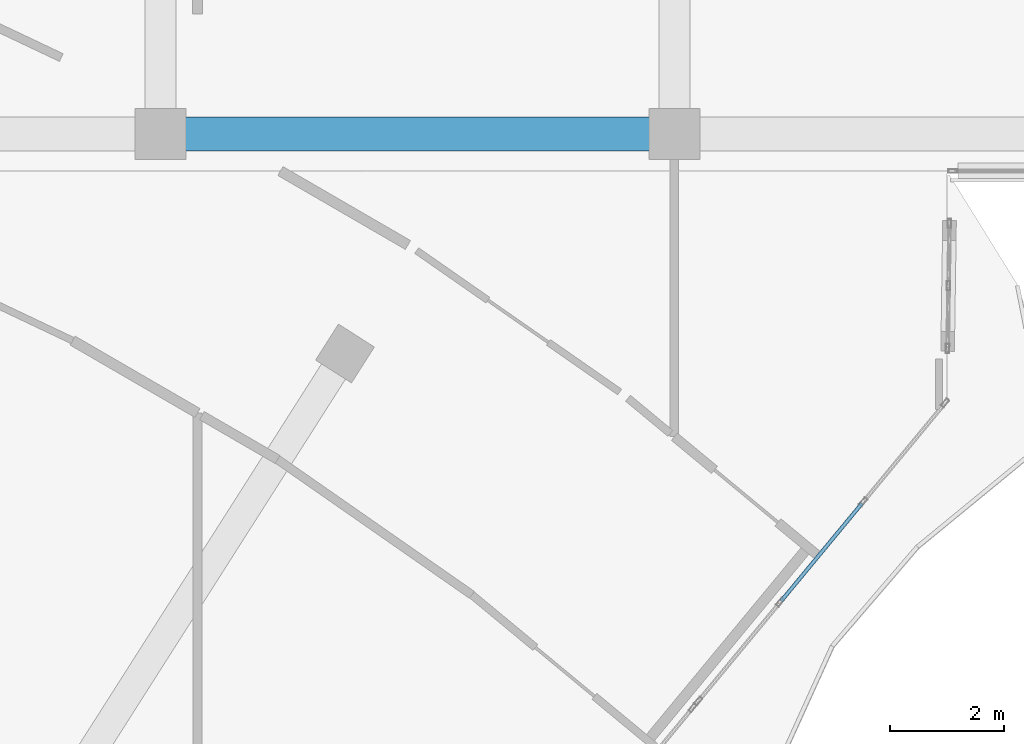
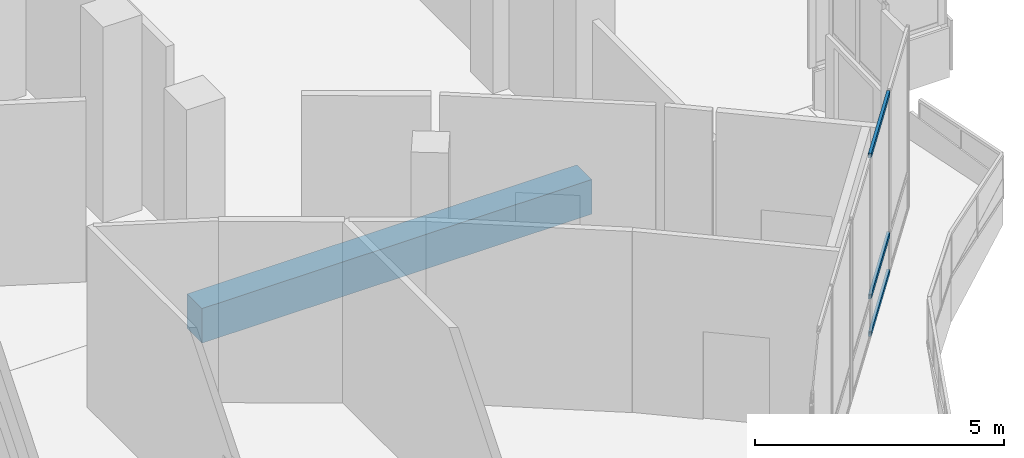
# One storey, part 106 of 168: 3 members, 1 beam, 1 element without a shape of its own.
"""IFC4 building model written with IfcOpenShell, lengths in metres."""

from ifc_helpers import new_model, si_unit, direction, frame, origin, origin_2d, place, context, subcontext, project, spatial, rectangle, hollow_rectangle, extrude, material, material_profile, profile_set, type_object, element, aggregate, save


model = new_model("IFC4")

# Units and contexts
model_context = context("Model", 3, precision=1e-05, world=origin(), true_north=direction((0.0, 1.0)))
body_context = subcontext(model_context, "Body", "Model", "MODEL_VIEW")
ifc_project = project(units=[si_unit("LENGTHUNIT", "METRE"), si_unit("AREAUNIT", "SQUARE_METRE"), si_unit("VOLUMEUNIT", "CUBIC_METRE"), si_unit("PLANEANGLEUNIT", "RADIAN"), si_unit("MASSUNIT", "GRAM", prefix="KILO")], contexts=[model_context])

# Site, building, storey
site_placement = place(None, origin())
site = spatial("IfcSite", under=ifc_project, at=site_placement, CompositionType="ELEMENT")
building_placement = place(site_placement, origin())
building = spatial("IfcBuilding", under=site, at=building_placement, Name="Selatvlak General Hospital", CompositionType="ELEMENT")
storey_placement = place(building_placement, frame((0.0, 0.0, 5.39990234375)))
storey = spatial("IfcBuildingStorey", under=building, at=storey_placement, Name="L01", CompositionType="ELEMENT", Elevation=5.39990234375)

# Beam
ifc_material_1 = material(Name="Concrete C40/50", Category="concrete")
ifc_material_profile_1 = material_profile(ifc_material_1, rectangle(XDim=0.60009765625, YDim=0.85009765625, at=origin_2d()), Name="RC-BM 600x850")
ifc_profile_set_1 = profile_set([ifc_material_profile_1], Name="Concrete C40/50")
beam_type = type_object("IfcBeamType", Name="BM-G01", PredefinedType="BEAM", material=ifc_profile_set_1)
beam_placement = place(storey_placement, frame((164.949951171875, 64.64990234375, -0.744873046875), z_axis=(1.0, 0.0, 0.0), x_axis=(0.0, 1.0, 0.0)))
element("IfcBeam", 1, at=beam_placement, inside=storey, type_object=beam_type, Name="Beam BMR-L01-0393", PredefinedType="BEAM", context=body_context, shape_type="SweptSolid", body=[
    extrude(rectangle(XDim=0.60009765625, YDim=0.85009765625, at=origin_2d()), origin(), (0.0, 0.0, 1.0), 9.050048828125),
])

# Curtain wall, members
ifc_material_2 = material(Name="Solar-control Low-E double glazing", Category="glass")
curtain_wall_type = type_object("IfcCurtainWallType", Name="CW-CW-01", PredefinedType="USERDEFINED", material=ifc_material_2)
curtain_wall_placement = place(storey_placement, origin())
curtain_wall = element("IfcCurtainWall", 2, at=curtain_wall_placement, inside=storey, type_object=curtain_wall_type, Name="Glazed facade curtain wall CW-L01-0141", ObjectType="UNITISED CURTAIN WALL", PredefinedType="USERDEFINED")
ifc_material_3 = material(Name="Dark anodised aluminium mullion", Category="aluminium")
ifc_material_profile_2 = material_profile(ifc_material_3, hollow_rectangle(XDim=0.06494140625, YDim=0.1201171875, WallThickness=0.00390625, at=origin_2d()), Name="AL-TRN 65x120x4")
ifc_profile_set_2 = profile_set([ifc_material_profile_2], Name="Dark anodised aluminium mullion")
member_type = type_object("IfcMemberType", Name="CWT-01", PredefinedType="USERDEFINED", material=ifc_profile_set_2)
member_1_placement = place(storey_placement, frame((177.30517578125, 58.14453125, 0.03271484375), z_axis=(-0.637661789289, -0.770316456062, 0.0), x_axis=(0.770316456062, -0.637661789289, 0.0)))
member_1 = element("IfcMember", 3, at=member_1_placement, type_object=member_type, Name="CW-01 transom 2.1", ObjectType="TRANSOM", PredefinedType="USERDEFINED", context=body_context, shape_type="SweptSolid", body=[
    extrude(hollow_rectangle(XDim=0.06494140625, YDim=0.1201171875, WallThickness=0.00390625, at=origin_2d()), origin(), (0.0, 0.0, 1.0), 2.230712890625),
])
member_2_placement = place(storey_placement, frame((177.30517578125, 58.14453125, 0.9501953125), z_axis=(-0.637661789289, -0.770316456062, 0.0), x_axis=(0.770316456062, -0.637661789289, 0.0)))
member_2 = element("IfcMember", 4, at=member_2_placement, type_object=member_type, Name="CW-01 transom 2.2", ObjectType="TRANSOM", PredefinedType="USERDEFINED", context=body_context, shape_type="SweptSolid", body=[
    extrude(hollow_rectangle(XDim=0.06494140625, YDim=0.1201171875, WallThickness=0.00390625, at=origin_2d()), origin(), (0.0, 0.0, 1.0), 2.230712890625),
])
member_3_placement = place(storey_placement, frame((177.30517578125, 58.14453125, 4.41259765625), z_axis=(-0.637661789289, -0.770316456062, 0.0), x_axis=(0.770316456062, -0.637661789289, 0.0)))
member_3 = element("IfcMember", 5, at=member_3_placement, type_object=member_type, Name="CW-01 transom 2.3", ObjectType="TRANSOM", PredefinedType="USERDEFINED", context=body_context, shape_type="SweptSolid", body=[
    extrude(hollow_rectangle(XDim=0.06494140625, YDim=0.1201171875, WallThickness=0.00390625, at=origin_2d()), origin(), (0.0, 0.0, 1.0), 2.230712890625),
])
aggregate(curtain_wall, [member_1, member_2, member_3])

save(model, "model.ifc")
